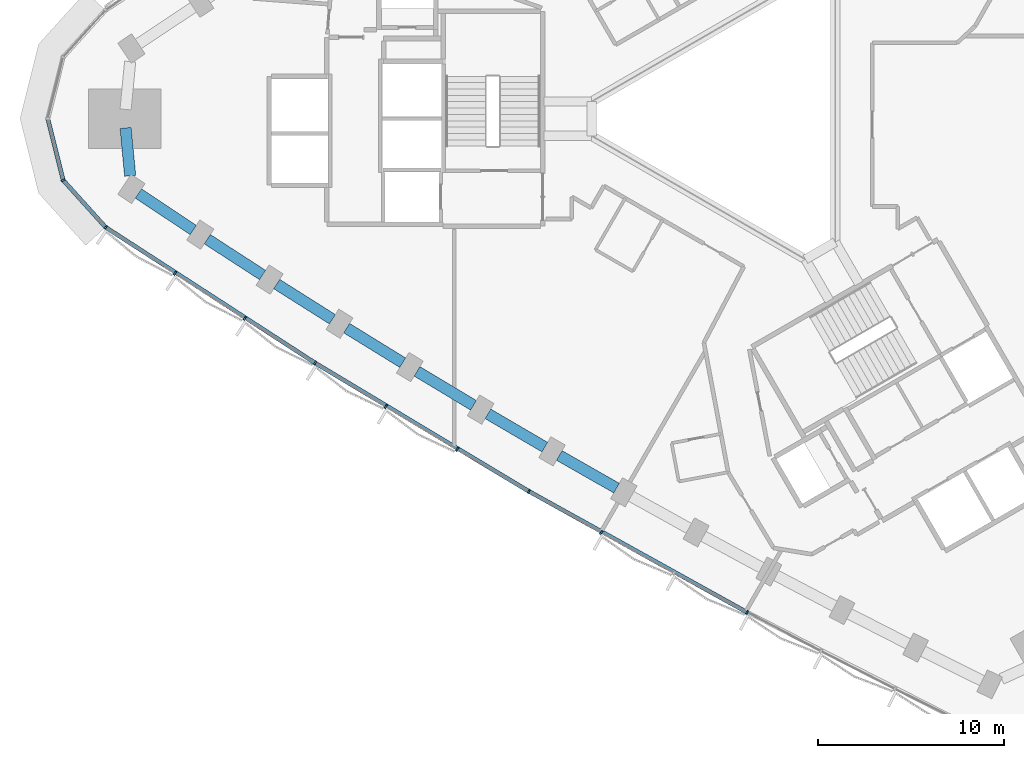
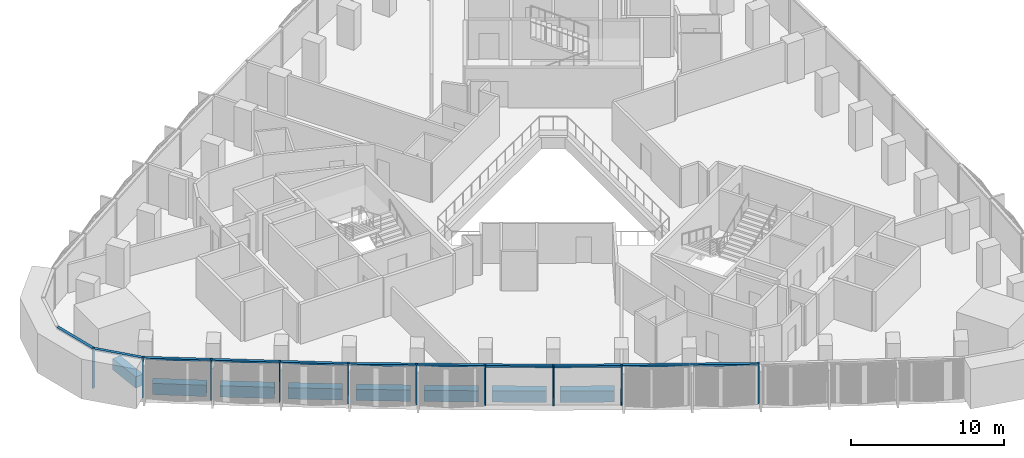
# One storey, part 2 of 15: 15 members, 8 beams, 2 elements without a shape of their own.
"""IFC4 building model written with IfcOpenShell, lengths in metres."""

import ifcopenshell
import ifcopenshell.guid

model = None  # the IFC model being written
_history = None  # IfcOwnerHistory: only IFC2X3 demands one
_inside = {}  # id of a spatial element -> (the spatial element, [elements in it])
_under = {}  # id of a project, library or spatial element -> (it, [spatial elements below it])
_declared = {}  # id of a project -> (the project, [libraries it declares])
_typed = {}  # id of a type object -> (the type object, [elements of that type])
_made_of = {}  # id of a material, layer set ... -> (it, [elements and type objects made of it])


def new_model(schema):
    """Start an empty IFC model of exactly this schema.

    Asked for "IFC4X3", IfcOpenShell would pick the latest addendum, in which some entities
    have other attributes; the version numbers below select the first issue.
    IFC2X3 requires an IfcOwnerHistory on every rooted entity: one is made here for all.
    """
    global model, _history
    if schema == "IFC4X3":
        model = ifcopenshell.file(schema_version=(4, 3, 0, 0))
    else:
        model = ifcopenshell.file(schema=schema)
    _inside.clear()
    _under.clear()
    _declared.clear()
    _typed.clear()
    _made_of.clear()
    _history = None
    if model.schema == "IFC2X3":
        org = make("IfcOrganization", Name="unknown")
        user = make(
            "IfcPersonAndOrganization",
            ThePerson=make("IfcPerson", FamilyName="unknown"),
            TheOrganization=org,
        )
        app = make(
            "IfcApplication",
            ApplicationDeveloper=org,
            Version="unknown",
            ApplicationFullName="unknown",
            ApplicationIdentifier="unknown",
        )
        _history = make(
            "IfcOwnerHistory",
            OwningUser=user,
            OwningApplication=app,
            ChangeAction="ADDED",
            CreationDate=0,
        )
    return model


def make(cls, **values):
    """One entity of the class cls with the attributes given. An attribute that is None is left unset."""
    return model.create_entity(
        cls, **{name: value for name, value in values.items() if value is not None}
    )


def rooted(cls, **values):
    """An entity with a GlobalId (a new one), such as an element, a storey or a relation."""
    return make(cls, GlobalId=ifcopenshell.guid.new(), OwnerHistory=_history, **values)


def si_unit(unit_type, name, prefix=None):
    """IfcSIUnit, for example si_unit("LENGTHUNIT", "METRE", prefix="MILLI")."""
    return make("IfcSIUnit", UnitType=unit_type, Prefix=prefix, Name=name)


def assignment(units):
    """IfcUnitAssignment: the units of a project."""
    return None if units is None else make("IfcUnitAssignment", Units=units)


def point(xyz):
    """IfcCartesianPoint."""
    return None if xyz is None else make("IfcCartesianPoint", Coordinates=xyz)


def direction(xyz):
    """IfcDirection."""
    return None if xyz is None else make("IfcDirection", DirectionRatios=xyz)


def frame(location, z_axis=None, x_axis=None):
    """IfcAxis2Placement3D, a coordinate frame: its origin and axes. An axis left out is left unset."""
    return make(
        "IfcAxis2Placement3D",
        Location=point(location),
        Axis=direction(z_axis),
        RefDirection=direction(x_axis),
    )


def frame_2d(location, x_axis=None):
    """IfcAxis2Placement2D, a coordinate frame in the plane: its origin and x axis."""
    return make(
        "IfcAxis2Placement2D", Location=point(location), RefDirection=direction(x_axis)
    )


def origin():
    """The frame at (0, 0, 0) with its axes left unset."""
    return frame((0.0, 0.0, 0.0))


def origin_2d():
    """The frame at (0, 0) in the plane with its x axis left unset."""
    return frame_2d((0.0, 0.0))


def place(relative_to, where):
    """IfcLocalPlacement: puts the frame where relative to a parent placement (None: the world)."""
    return make(
        "IfcLocalPlacement", PlacementRelTo=relative_to, RelativePlacement=where
    )


def context(
    kind, dimensions, precision=None, world=None, true_north=None, identifier=None
):
    """IfcGeometricRepresentationContext, for example the 3D "Model" context."""
    return make(
        "IfcGeometricRepresentationContext",
        ContextIdentifier=identifier,
        ContextType=kind,
        CoordinateSpaceDimension=dimensions,
        Precision=precision,
        WorldCoordinateSystem=world,
        TrueNorth=true_north,
    )


def subcontext(parent, identifier, kind, view, scale=None):
    """IfcGeometricRepresentationSubContext, for example "Body" below "Model"."""
    return make(
        "IfcGeometricRepresentationSubContext",
        ContextIdentifier=identifier,
        ContextType=kind,
        ParentContext=parent,
        TargetScale=scale,
        TargetView=view,
    )


def project(units=None, contexts=None):
    """IfcProject with its units and contexts."""
    return rooted(
        "IfcProject",
        Name="project",
        RepresentationContexts=contexts,
        UnitsInContext=assignment(units),
    )


def spatial(cls, under=None, at=None, **own):
    """A site, building, storey or space (cls), placed at a placement, below another one or the project."""
    s = rooted(cls, ObjectPlacement=at, **own)
    if under is not None:
        _under.setdefault(under.id(), (under, []))[1].append(s)
    return s


def profile(cls, at=None, kind="AREA", **sizes):
    """A parametric profile (cls). Its sizes go by their IFC names, for example OverallWidth=200.0."""
    return make(cls, ProfileType=kind, Position=at, **sizes)


def rectangle(**sizes):
    """IfcRectangleProfileDef."""
    return profile("IfcRectangleProfileDef", **sizes)


def extrude(swept, where, along, depth):
    """IfcExtrudedAreaSolid: the profile swept, set in the frame where, extruded along a direction by depth."""
    return make(
        "IfcExtrudedAreaSolid",
        SweptArea=swept,
        Position=where,
        ExtrudedDirection=direction(along),
        Depth=depth,
    )


def shape(context_of_items, identifier, shape_type, items):
    """IfcShapeRepresentation: the items that make up one representation, for example the "Body"."""
    return make(
        "IfcShapeRepresentation",
        ContextOfItems=context_of_items,
        RepresentationIdentifier=identifier,
        RepresentationType=shape_type,
        Items=items,
    )


def material(Name=None, Category=None):
    """IfcMaterial."""
    return make("IfcMaterial", Name=Name, Category=Category)


def material_profile(
    of_material, cross_section, Name=None, Category=None, Priority=None
):
    """IfcMaterialProfile: a cross section and its material."""
    return make(
        "IfcMaterialProfile",
        Name=Name,
        Material=of_material,
        Profile=cross_section,
        Priority=Priority,
        Category=Category,
    )


def profile_set(profiles, Name=None, composite=None):
    """IfcMaterialProfileSet."""
    return make(
        "IfcMaterialProfileSet",
        Name=Name,
        MaterialProfiles=profiles,
        CompositeProfile=composite,
    )


def made_of(thing, what):
    """Note that an element or type object is made of a material, layer set ...; save() writes the relation."""
    if what is not None:
        _made_of.setdefault(what.id(), (what, []))[1].append(thing)
    return thing


def type_object(cls, material=None, **own):
    """A type object (cls), such as IfcWallType, which elements share."""
    return made_of(rooted(cls, **own), material)


def element(
    cls,
    number,
    at=None,
    inside=None,
    cuts=None,
    type_object=None,
    material=None,
    context=None,
    identifier="Body",
    shape_type=None,
    held_by="IfcProductDefinitionShape",
    body=None,
    shapes=None,
    **own,
):
    """One element of the class cls, such as IfcWall. Its Tag is "e" and its number.

    at: its placement. inside: the storey or other place that contains it. cuts: it is an
    opening in that element (IfcRelVoidsElement). A single representation is given by context,
    identifier, shape_type and body (its items); several are given by shapes. held_by: the class
    of the entity that holds the representations. save() writes the other relations.
    """
    e = rooted(cls, Tag="e%d" % number, ObjectPlacement=at, **own)
    if body is not None:
        shapes = [shape(context, identifier, shape_type, body)]
    if shapes is not None:
        e.Representation = make(held_by, Representations=shapes)
    if inside is not None:
        _inside.setdefault(inside.id(), (inside, []))[1].append(e)
    if cuts is not None:
        rooted(
            "IfcRelVoidsElement", RelatingBuildingElement=cuts, RelatedOpeningElement=e
        )
    if type_object is not None:
        _typed.setdefault(type_object.id(), (type_object, []))[1].append(e)
    return made_of(e, material)


def aggregate(whole, parts):
    """IfcRelAggregates: a whole, such as a stair, and the parts it consists of."""
    return rooted("IfcRelAggregates", RelatingObject=whole, RelatedObjects=parts)


def save(model, path):
    """Write the relations noted so far, then the file.

    IfcRelAggregates (storeys below a building ...), IfcRelContainedInSpatialStructure (elements
    in a storey), IfcRelDefinesByType, IfcRelAssociatesMaterial and IfcRelDeclares: one each for
    every whole, place, type object, material and project.
    """
    for whole, parts in _under.values():
        aggregate(whole, parts)
    for where, things in _inside.values():
        rooted(
            "IfcRelContainedInSpatialStructure",
            RelatedElements=things,
            RelatingStructure=where,
        )
    for kind, things in _typed.values():
        rooted("IfcRelDefinesByType", RelatedObjects=things, RelatingType=kind)
    for what, things in _made_of.values():
        rooted("IfcRelAssociatesMaterial", RelatedObjects=things, RelatingMaterial=what)
    for by, libraries in _declared.values():
        rooted("IfcRelDeclares", RelatingContext=by, RelatedDefinitions=libraries)
    model.write(path)


model = new_model("IFC4")

# Units and contexts
model_context = context("Model", 3, precision=1e-05, world=origin(), true_north=direction((0.0, 1.0)))
body_context = subcontext(model_context, "Body", "Model", "MODEL_VIEW")
ifc_project = project(units=[si_unit("LENGTHUNIT", "METRE"), si_unit("AREAUNIT", "SQUARE_METRE"), si_unit("VOLUMEUNIT", "CUBIC_METRE"), si_unit("PLANEANGLEUNIT", "RADIAN"), si_unit("MASSUNIT", "GRAM", prefix="KILO")], contexts=[model_context])

# Site, building, storey
site_placement = place(None, origin())
site = spatial("IfcSite", under=ifc_project, at=site_placement, CompositionType="ELEMENT")
building_placement = place(site_placement, origin())
building = spatial("IfcBuilding", under=site, at=building_placement, Name="Tamra Quay Hotel Tower", CompositionType="ELEMENT")
storey_placement = place(building_placement, frame((0.0, 0.0, 108.199951171875)))
storey = spatial("IfcBuildingStorey", under=building, at=storey_placement, Name="L26", CompositionType="ELEMENT", Elevation=108.199951171875)

# Curtain wall, member
ifc_material_1 = material(Name="Aluminium 6063 anodised dark grey", Category="aluminium")
curtain_wall_type_1 = type_object("IfcCurtainWallType", Name="CW2 CURTAIN WALL", PredefinedType="NOTDEFINED", material=ifc_material_1)
curtain_wall_1_placement = place(storey_placement, origin())
curtain_wall_1 = element("IfcCurtainWall", 1, at=curtain_wall_1_placement, inside=storey, type_object=curtain_wall_type_1, Name="CW2 north-west face L26", PredefinedType="NOTDEFINED")
ifc_material_profile_1 = material_profile(ifc_material_1, rectangle(XDim=0.219970703125, YDim=0.10009765625, at=origin_2d()), Name="MULLION 100X220")
ifc_profile_set_1 = profile_set([ifc_material_profile_1], Name="Aluminium 6063 anodised dark grey")
member_type_1 = type_object("IfcMemberType", Name="MULLION CW2 Z2", PredefinedType="MULLION", material=ifc_profile_set_1)
member_1_placement = place(storey_placement, frame((-36.623046875, -3.308349609375, 0.0), z_axis=(0.0, 0.0, 1.0), x_axis=(-0.882543846683, -0.47023011248, 0.0)))
member_1 = element("IfcMember", 2, at=member_1_placement, type_object=member_type_1, Name="CW2 mullion L26.NW.16", PredefinedType="MULLION", context=body_context, shape_type="SweptSolid", body=[
    extrude(rectangle(XDim=0.219970703125, YDim=0.10009765625, at=origin_2d()), origin(), (0.0, 0.0, 1.0), 3.175048828125),
])

# Curtain wall, members
curtain_wall_type_2 = type_object("IfcCurtainWallType", Name="CW3 CURTAIN WALL", PredefinedType="NOTDEFINED", material=ifc_material_1)
curtain_wall_2_placement = place(storey_placement, origin())
curtain_wall_2 = element("IfcCurtainWall", 3, at=curtain_wall_2_placement, inside=storey, type_object=curtain_wall_type_2, Name="CW3 south-west face L26", PredefinedType="NOTDEFINED")
ifc_material_profile_2 = material_profile(ifc_material_1, rectangle(XDim=0.219970703125, YDim=0.10009765625, at=origin_2d()), Name="MULLION 100X220")
ifc_profile_set_2 = profile_set([ifc_material_profile_2], Name="Aluminium 6063 anodised dark grey")
member_type_2 = type_object("IfcMemberType", Name="MULLION CW3 Z2", PredefinedType="MULLION", material=ifc_profile_set_2)
member_2_placement = place(storey_placement, frame((-34.338134765625, -5.839599609375, 0.0), z_axis=(0.0, 0.0, 1.0), x_axis=(-0.652886835472, -0.757455464081, 0.0)))
member_2 = element("IfcMember", 4, at=member_2_placement, type_object=member_type_2, Name="CW3 mullion L26.SW.1", PredefinedType="MULLION", context=body_context, shape_type="SweptSolid", body=[
    extrude(rectangle(XDim=0.219970703125, YDim=0.10009765625, at=origin_2d()), origin(), (0.0, 0.0, 1.0), 3.175048828125),
])
member_3_placement = place(storey_placement, frame((-30.612548828125, -8.314208984375, 0.0), z_axis=(0.0, 0.0, 1.0), x_axis=(-0.548547394531, -0.836119462729, 0.0)))
member_3 = element("IfcMember", 5, at=member_3_placement, type_object=member_type_2, Name="CW3 mullion L26.SW.2", PredefinedType="MULLION", context=body_context, shape_type="SweptSolid", body=[
    extrude(rectangle(XDim=0.219970703125, YDim=0.10009765625, at=origin_2d()), origin(), (0.0, 0.0, 1.0), 3.175048828125),
])
member_4_placement = place(storey_placement, frame((-26.858642578125, -10.74658203125, 0.0), z_axis=(0.0, 0.0, 1.0), x_axis=(-0.538998516205, -0.842306713453, 0.0)))
member_4 = element("IfcMember", 6, at=member_4_placement, type_object=member_type_2, Name="CW3 mullion L26.SW.3", PredefinedType="MULLION", context=body_context, shape_type="SweptSolid", body=[
    extrude(rectangle(XDim=0.219970703125, YDim=0.10009765625, at=origin_2d()), origin(), (0.0, 0.0, 1.0), 3.175048828125),
])
member_5_placement = place(storey_placement, frame((-23.0771484375, -13.13623046875, 0.0), z_axis=(0.0, 0.0, 1.0), x_axis=(-0.5293643356, -0.848394601701, 0.0)))
member_5 = element("IfcMember", 7, at=member_5_placement, type_object=member_type_2, Name="CW3 mullion L26.SW.4", PredefinedType="MULLION", context=body_context, shape_type="SweptSolid", body=[
    extrude(rectangle(XDim=0.219970703125, YDim=0.10009765625, at=origin_2d()), origin(), (0.0, 0.0, 1.0), 3.175048828125),
])
member_6_placement = place(storey_placement, frame((-19.2685546875, -15.482666015625, 0.0), z_axis=(0.0, 0.0, 1.0), x_axis=(-0.519650021275, -0.854379222236, 0.0)))
member_6 = element("IfcMember", 8, at=member_6_placement, type_object=member_type_2, Name="CW3 mullion L26.SW.5", PredefinedType="MULLION", context=body_context, shape_type="SweptSolid", body=[
    extrude(rectangle(XDim=0.219970703125, YDim=0.10009765625, at=origin_2d()), origin(), (0.0, 0.0, 1.0), 3.175048828125),
])
member_7_placement = place(storey_placement, frame((-15.43359375, -17.78515625, 0.0), z_axis=(0.0, 0.0, 1.0), x_axis=(-0.509860421596, -0.860257142075, 0.0)))
member_7 = element("IfcMember", 9, at=member_7_placement, type_object=member_type_2, Name="CW3 mullion L26.SW.6", PredefinedType="MULLION", context=body_context, shape_type="SweptSolid", body=[
    extrude(rectangle(XDim=0.219970703125, YDim=0.10009765625, at=origin_2d()), origin(), (0.0, 0.0, 1.0), 3.175048828125),
])
member_8_placement = place(storey_placement, frame((-11.572265625, -20.0439453125, 0.0), z_axis=(0.0, 0.0, 1.0), x_axis=(-0.5, -0.866025403784, 0.0)))
member_8 = element("IfcMember", 10, at=member_8_placement, type_object=member_type_2, Name="CW3 mullion L26.SW.7", PredefinedType="MULLION", context=body_context, shape_type="SweptSolid", body=[
    extrude(rectangle(XDim=0.219970703125, YDim=0.10009765625, at=origin_2d()), origin(), (0.0, 0.0, 1.0), 3.175048828125),
])
member_9_placement = place(storey_placement, frame((-7.685791015625, -22.25830078125, 0.0), z_axis=(0.0, 0.0, 1.0), x_axis=(-0.490074328026, -0.871680648523, 0.0)))
member_9 = element("IfcMember", 11, at=member_9_placement, type_object=member_type_2, Name="CW3 mullion L26.SW.8", PredefinedType="MULLION", context=body_context, shape_type="SweptSolid", body=[
    extrude(rectangle(XDim=0.219970703125, YDim=0.10009765625, at=origin_2d()), origin(), (0.0, 0.0, 1.0), 3.175048828125),
])
member_10_placement = place(storey_placement, frame((0.162109375, -26.553466796875, 0.0), z_axis=(0.0, 0.0, 1.0), x_axis=(-0.470049109706, -0.882640263337, 0.0)))
member_10 = element("IfcMember", 12, at=member_10_placement, type_object=member_type_2, Name="CW3 mullion L26.SW.10", PredefinedType="MULLION", context=body_context, shape_type="SweptSolid", body=[
    extrude(rectangle(XDim=0.219970703125, YDim=0.10009765625, at=origin_2d()), origin(), (0.0, 0.0, 1.0), 3.175048828125),
])

# Beams
ifc_material_2 = material(Name="Concrete M60", Category="concrete")
ifc_material_profile_3 = material_profile(ifc_material_2, rectangle(XDim=0.60009765625, YDim=0.89990234375, at=origin_2d()), Name="SPANDREL BEAM RC 600x900")
ifc_profile_set_3 = profile_set([ifc_material_profile_3], Name="Concrete M60")
beam_type = type_object("IfcBeamType", Name="SPANDREL BEAM RC 600x900", PredefinedType="SPANDREL", material=ifc_profile_set_3)
beam_1_placement = place(storey_placement, frame((-33.26611328125, -0.497802734375, -0.875), z_axis=(0.09550001445, -0.995429428558, 0.0), x_axis=(0.995429428558, 0.09550001445, 0.0)))
element("IfcBeam", 13, at=beam_1_placement, inside=storey, type_object=beam_type, Name="BM-SP2-027-L26", PredefinedType="SPANDREL", context=body_context, shape_type="SweptSolid", body=[
    extrude(rectangle(XDim=0.60009765625, YDim=0.89990234375, at=origin_2d()), origin(), (0.0, 0.0, 1.0), 2.58447265625),
])
beam_2_placement = place(storey_placement, frame((-32.57666015625, -4.025390625, -0.875), z_axis=(0.832981511469, -0.55330082374, 0.0), x_axis=(0.55330082374, 0.832981511469, 0.0)))
element("IfcBeam", 14, at=beam_2_placement, inside=storey, type_object=beam_type, Name="BM-SP2-028-L26", PredefinedType="SPANDREL", context=body_context, shape_type="SweptSolid", body=[
    extrude(rectangle(XDim=0.60009765625, YDim=0.89990234375, at=origin_2d()), origin(), (0.0, 0.0, 1.0), 3.544921875),
])
beam_3_placement = place(storey_placement, frame((-28.87109375, -6.480712890625, -0.875), z_axis=(0.839237385713, -0.543765216266, 0.0), x_axis=(0.543765216266, 0.839237385713, 0.0)))
element("IfcBeam", 15, at=beam_3_placement, inside=storey, type_object=beam_type, Name="BM-SP2-029-L26", PredefinedType="SPANDREL", context=body_context, shape_type="SweptSolid", body=[
    extrude(rectangle(XDim=0.60009765625, YDim=0.89990234375, at=origin_2d()), origin(), (0.0, 0.0, 1.0), 3.544677734375),
])
for number, where, z_axis, x_axis, name in (
    (16, (-25.13818359375, -8.893310546875, -0.875), (0.845333394052, -0.534239134566, 0.0), (0.534239134566, 0.845333394052, 0.0), "BM-SP2-030-L26"),
    (17, (-21.3779296875, -11.263427734375, -0.875), (0.851393361846, -0.524527733685, 0.0), (0.524527733685, 0.851393361846, 0.0), "BM-SP2-031-L26"),
):
    element("IfcBeam", number, at=place(storey_placement, frame(where, z_axis=z_axis, x_axis=x_axis)), inside=storey, type_object=beam_type, Name=name, PredefinedType="SPANDREL", context=body_context, shape_type="SweptSolid", body=[
        extrude(rectangle(XDim=0.60009765625, YDim=0.89990234375, at=origin_2d()), origin(), (0.0, 0.0, 1.0), 3.544921875),
    ])
for number, where, z_axis, x_axis, name in (
    (18, (-17.5908203125, -13.59033203125, -0.875), (0.857286231776, -0.514840088578, 0.0), (0.514840088578, 0.857286231776, 0.0), "BM-SP2-032-L26"),
    (19, (-13.777587890625, -15.8740234375, -0.875), (0.863128698129, -0.504984010109, 0.0), (0.504984010109, 0.863128698129, 0.0), "BM-SP2-033-L26"),
):
    element("IfcBeam", number, at=place(storey_placement, frame(where, z_axis=z_axis, x_axis=x_axis)), inside=storey, type_object=beam_type, Name=name, PredefinedType="SPANDREL", context=body_context, shape_type="SweptSolid", body=[
        extrude(rectangle(XDim=0.60009765625, YDim=0.89990234375, at=origin_2d()), origin(), (0.0, 0.0, 1.0), 3.544677734375),
    ])
beam_4_placement = place(storey_placement, frame((-9.9384765625, -18.114013671875, -0.875), z_axis=(0.868869699181, -0.495040852704, 0.0), x_axis=(0.495040852704, 0.868869699181, 0.0)))
element("IfcBeam", 20, at=beam_4_placement, inside=storey, type_object=beam_type, Name="BM-SP2-034-L26", PredefinedType="SPANDREL", context=body_context, shape_type="SweptSolid", body=[
    extrude(rectangle(XDim=0.60009765625, YDim=0.89990234375, at=origin_2d()), origin(), (0.0, 0.0, 1.0), 3.544921875),
])

# Member
ifc_material_profile_4 = material_profile(ifc_material_1, rectangle(XDim=0.219970703125, YDim=0.139892578125, at=origin_2d()), Name="TRANSOM 220X140")
ifc_profile_set_4 = profile_set([ifc_material_profile_4], Name="Aluminium 6063 anodised dark grey")
member_type_3 = type_object("IfcMemberType", Name="TRANSOM CW2 Z2", PredefinedType="USERDEFINED", material=ifc_profile_set_4)
member_11_placement = place(storey_placement, frame((-37.437255859375, -0.048583984375, 3.10498046875), z_axis=(0.242292652285, -0.970203211007, 0.0), x_axis=(0.970203211007, 0.242292652285, 0.0)))
member_11 = element("IfcMember", 21, at=member_11_placement, type_object=member_type_3, Name="CW2 transom L26.NW.15", ObjectType="TRANSOM", PredefinedType="USERDEFINED", context=body_context, shape_type="SweptSolid", body=[
    extrude(rectangle(XDim=0.219970703125, YDim=0.139892578125, at=origin_2d()), origin(), (0.0, 0.0, 1.0), 3.31005859375),
])

member_12_placement = place(storey_placement, frame((-36.589599609375, -3.345458984375, 3.10498046875), z_axis=(0.670080516261, -0.742288422196, 0.0), x_axis=(0.742288422196, 0.670080516261, 0.0)))
member_12 = element("IfcMember", 22, at=member_12_placement, type_object=member_type_3, Name="CW2 transom L26.NW.16", ObjectType="TRANSOM", PredefinedType="USERDEFINED", context=body_context, shape_type="SweptSolid", body=[
    extrude(rectangle(XDim=0.219970703125, YDim=0.139892578125, at=origin_2d()), origin(), (0.0, 0.0, 1.0), 3.31005859375),
])

aggregate(curtain_wall_1, [member_11, member_1, member_12])

ifc_material_profile_5 = material_profile(ifc_material_1, rectangle(XDim=0.219970703125, YDim=0.139892578125, at=origin_2d()), Name="TRANSOM 220X140")
ifc_profile_set_5 = profile_set([ifc_material_profile_5], Name="Aluminium 6063 anodised dark grey")
member_type_4 = type_object("IfcMemberType", Name="TRANSOM CW3 Z2", PredefinedType="USERDEFINED", material=ifc_profile_set_5)
member_13_placement = place(storey_placement, frame((-34.29638671875, -5.867431640625, 3.10498046875), z_axis=(0.8392271939, -0.543780945804, 0.0), x_axis=(0.543780945804, 0.8392271939, 0.0)))
member_13 = element("IfcMember", 23, at=member_13_placement, type_object=member_type_4, Name="CW3 transom L26.SW.1", ObjectType="TRANSOM", PredefinedType="USERDEFINED", context=body_context, shape_type="SweptSolid", body=[
    extrude(rectangle(XDim=0.219970703125, YDim=0.139892578125, at=origin_2d()), origin(), (0.0, 0.0, 1.0), 13.318115234375),
])

member_14_placement = place(storey_placement, frame((-23.034423828125, -13.16259765625, 3.10498046875), z_axis=(0.857332765871, -0.514762594372, 0.0), x_axis=(0.514762594372, 0.857332765871, 0.0)))
member_14 = element("IfcMember", 24, at=member_14_placement, type_object=member_type_4, Name="CW3 transom L26.SW.4", ObjectType="TRANSOM", PredefinedType="USERDEFINED", context=body_context, shape_type="SweptSolid", body=[
    extrude(rectangle(XDim=0.219970703125, YDim=0.139892578125, at=origin_2d()), origin(), (0.0, 0.0, 1.0), 13.319091796875),
])

member_15_placement = place(storey_placement, frame((-11.529052734375, -20.068603515625, 3.10498046875), z_axis=(0.874459721019, -0.485098130605, 0.0), x_axis=(0.485098130605, 0.874459721019, 0.0)))
member_15 = element("IfcMember", 25, at=member_15_placement, type_object=member_type_4, Name="CW3 transom L26.SW.7", ObjectType="TRANSOM", PredefinedType="USERDEFINED", context=body_context, shape_type="SweptSolid", body=[
    extrude(rectangle(XDim=0.219970703125, YDim=0.139892578125, at=origin_2d()), origin(), (0.0, 0.0, 1.0), 13.3193359375),
])

aggregate(curtain_wall_2, [member_2, member_13, member_3, member_4, member_5, member_14, member_6, member_7, member_8, member_15, member_9, member_10])

save(model, "model.ifc")
